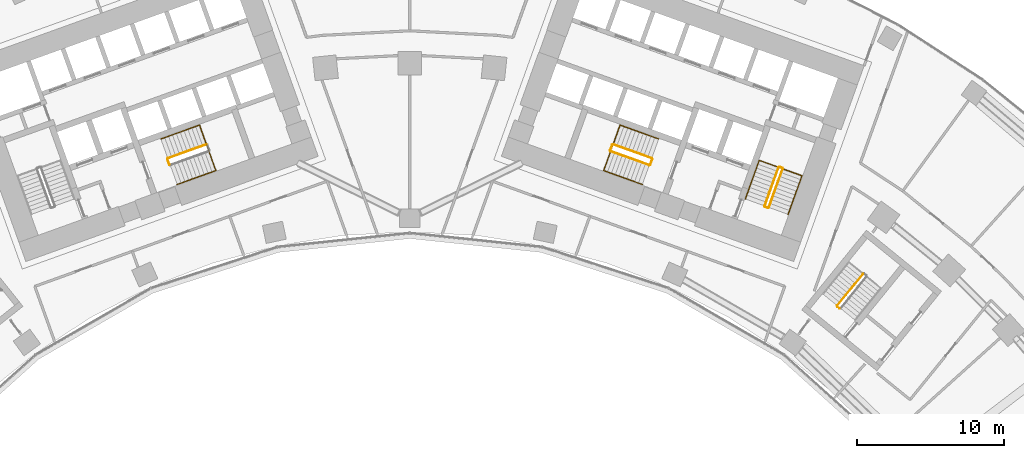
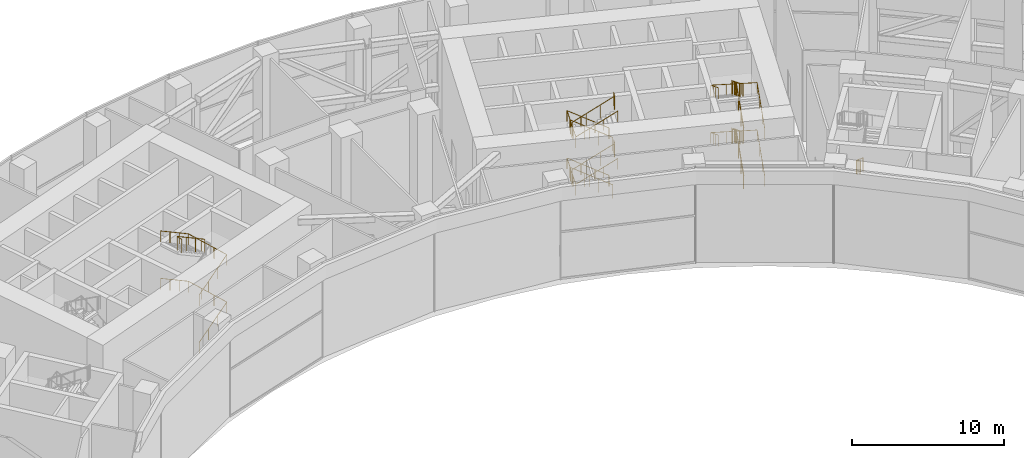
# One storey, part 32 of 33: 16 railings.
"""IFC4 building model written with IfcOpenShell, lengths in metres."""

from ifc_helpers import new_model, si_unit, direction, frame, origin, origin_2d, place, context, subcontext, project, spatial, circle, extrude, material, type_object, element, save


model = new_model("IFC4")

# Units and contexts
model_context = context("Model", 3, precision=1e-05, world=origin(), true_north=direction((0.0, 1.0)))
body_context = subcontext(model_context, "Body", "Model", "MODEL_VIEW")
ifc_project = project(units=[si_unit("LENGTHUNIT", "METRE"), si_unit("AREAUNIT", "SQUARE_METRE"), si_unit("VOLUMEUNIT", "CUBIC_METRE"), si_unit("PLANEANGLEUNIT", "RADIAN"), si_unit("MASSUNIT", "GRAM", prefix="KILO")], contexts=[model_context])

# Site, building, storey
site_placement = place(None, origin())
site = spatial("IfcSite", under=ifc_project, at=site_placement, CompositionType="ELEMENT")
building_placement = place(site_placement, origin())
building = spatial("IfcBuilding", under=site, at=building_placement, Name="Stone Belt Terrace Tower", CompositionType="ELEMENT")
storey_placement = place(building_placement, frame((0.0, 0.0, 79.39990234375)))
storey = spatial("IfcBuildingStorey", under=building, at=storey_placement, Name="L19", CompositionType="ELEMENT", Elevation=79.39990234375)

# Railings
ifc_material = material(Name="Structural steel C345", Category="steel")
railing_type_1 = type_object("IfcRailingType", Name="Stair guard 1100", PredefinedType="GUARDRAIL", material=ifc_material)
railing_1_placement = place(storey_placement, frame((-13.873046875, 49.47509765625, 5.872802734375)))
element("IfcRailing", 1, at=railing_1_placement, inside=storey, type_object=railing_type_1, Name="L19 ST2A stair guard 4", PredefinedType="GUARDRAIL", context=body_context, shape_type="SweptSolid", body=[
    extrude(circle(Radius=0.02392578125, at=origin_2d()), frame((0.0, 0.0, 1.076171875), z_axis=(-0.800808895155, -0.288160591223, 0.52504150989), x_axis=(0.338583606334, -0.940936311087, 0.0)), (0.0, 0.0, 1.0), 3.289794921875),
    extrude(circle(Radius=0.02392578125, at=origin_2d()), frame((-2.634521484375, -0.947998046875, 2.80322265625), z_axis=(-0.427789722475, -0.903878284585, 0.0), x_axis=(0.903878284585, -0.427789722475, 0.0)), (0.0, 0.0, 1.0), 0.07080078125),
    extrude(circle(Radius=0.02392578125, at=origin_2d()), frame((-2.664794921875, -1.011962890625, 2.80322265625), z_axis=(0.338654645739, -0.940910745459, 0.0), x_axis=(0.940910745459, 0.338654645739, 0.0)), (0.0, 0.0, 1.0), 0.400146484375),
    extrude(circle(Radius=0.02099609375, at=origin_2d()), origin(), (0.0, 0.0, 1.0), 1.052001953125),
    extrude(circle(Radius=0.02099609375, at=origin_2d()), frame((-0.878173828125, -0.31591796875, 0.57568359375)), (0.0, 0.0, 1.0), 1.052001953125),
    extrude(circle(Radius=0.02099609375, at=origin_2d()), frame((-1.75634765625, -0.632080078125, 1.151611328125)), (0.0, 0.0, 1.0), 1.052001953125),
    extrude(circle(Radius=0.02099609375, at=origin_2d()), frame((-2.634521484375, -0.947998046875, 1.727294921875)), (0.0, 0.0, 1.0), 1.052001953125),
    extrude(circle(Radius=0.02099609375, at=origin_2d()), frame((-2.664794921875, -1.011962890625, 1.727294921875)), (0.0, 0.0, 1.0), 1.052001953125),
    extrude(circle(Radius=0.02099609375, at=origin_2d()), frame((-2.529296875, -1.388427734375, 1.727294921875)), (0.0, 0.0, 1.0), 1.052001953125),
])
railing_2_placement = place(storey_placement, frame((24.494140625, 45.174560546875, 0.1728515625)))
element("IfcRailing", 2, at=railing_2_placement, inside=storey, type_object=railing_type_1, Name="L19 ST1B stair guard 1", PredefinedType="GUARDRAIL", context=body_context, shape_type="SweptSolid", body=[
    extrude(circle(Radius=0.02392578125, at=origin_2d()), frame((0.0, 0.0, 1.076171875), z_axis=(0.288228637646, 0.800791768495, 0.525030280985), x_axis=(-0.940908529223, 0.338660803216, 0.0)), (0.0, 0.0, 1.0), 3.289794921875),
    extrude(circle(Radius=0.02392578125, at=origin_2d()), frame((0.9482421875, 2.634521484375, 2.80322265625), z_axis=(-0.424964916, 0.905209821074, 0.0), x_axis=(-0.905209821074, -0.424964916, 0.0)), (0.0, 0.0, 1.0), 0.070556640625),
    extrude(circle(Radius=0.02392578125, at=origin_2d()), frame((0.918212890625, 2.698486328125, 2.80322265625), z_axis=(-0.941105063269, 0.338114270461, 0.0), x_axis=(-0.338114270461, -0.941105063269, 0.0)), (0.0, 0.0, 1.0), 0.199951171875),
    extrude(circle(Radius=0.02099609375, at=origin_2d()), origin(), (0.0, 0.0, 1.0), 1.052001953125),
    extrude(circle(Radius=0.02099609375, at=origin_2d()), frame((0.316162109375, 0.878173828125, 0.57568359375)), (0.0, 0.0, 1.0), 1.052001953125),
    extrude(circle(Radius=0.02099609375, at=origin_2d()), frame((0.632080078125, 1.75634765625, 1.151611328125)), (0.0, 0.0, 1.0), 1.052001953125),
    extrude(circle(Radius=0.02099609375, at=origin_2d()), frame((0.9482421875, 2.634521484375, 1.727294921875)), (0.0, 0.0, 1.0), 1.052001953125),
    extrude(circle(Radius=0.02099609375, at=origin_2d()), frame((0.918212890625, 2.698486328125, 1.727294921875)), (0.0, 0.0, 1.0), 1.052001953125),
    extrude(circle(Radius=0.02099609375, at=origin_2d()), frame((0.72998046875, 2.76611328125, 1.727294921875)), (0.0, 0.0, 1.0), 1.052001953125),
])
railing_3_placement = place(storey_placement, frame((25.16015625, 47.91064453125, 2.07275390625)))
element("IfcRailing", 3, at=railing_3_placement, inside=storey, type_object=railing_type_1, Name="L19 ST1B stair guard 2", PredefinedType="GUARDRAIL", context=body_context, shape_type="SweptSolid", body=[
    extrude(circle(Radius=0.02392578125, at=origin_2d()), frame((0.0, 0.0, 1.076171875), z_axis=(-0.288228637646, -0.800791768495, 0.525030280985), x_axis=(0.940908529223, -0.338660803216, 0.0)), (0.0, 0.0, 1.0), 3.289794921875),
    extrude(circle(Radius=0.02392578125, at=origin_2d()), frame((-0.9482421875, -2.634521484375, 2.80322265625), z_axis=(0.427789722475, -0.903878284585, 0.0), x_axis=(0.903878284585, 0.427789722475, 0.0)), (0.0, 0.0, 1.0), 0.07080078125),
    extrude(circle(Radius=0.02392578125, at=origin_2d()), frame((-0.91796875, -2.698486328125, 2.80322265625), z_axis=(0.940575576748, -0.339584429008, 0.0), x_axis=(0.339584429008, 0.940575576748, 0.0)), (0.0, 0.0, 1.0), 0.199951171875),
    extrude(circle(Radius=0.02099609375, at=origin_2d()), origin(), (0.0, 0.0, 1.0), 1.052001953125),
    extrude(circle(Radius=0.02099609375, at=origin_2d()), frame((-0.316162109375, -0.878173828125, 0.57568359375)), (0.0, 0.0, 1.0), 1.052001953125),
    extrude(circle(Radius=0.02099609375, at=origin_2d()), frame((-0.632080078125, -1.75634765625, 1.151611328125)), (0.0, 0.0, 1.0), 1.052001953125),
    extrude(circle(Radius=0.02099609375, at=origin_2d()), frame((-0.9482421875, -2.634521484375, 1.727294921875)), (0.0, 0.0, 1.0), 1.052001953125),
    extrude(circle(Radius=0.02099609375, at=origin_2d()), frame((-0.91796875, -2.698486328125, 1.727294921875)), (0.0, 0.0, 1.0), 1.052001953125),
    extrude(circle(Radius=0.02099609375, at=origin_2d()), frame((-0.72998046875, -2.766357421875, 1.727294921875)), (0.0, 0.0, 1.0), 1.052001953125),
])
railing_4_placement = place(storey_placement, frame((24.494140625, 45.174560546875, 3.972900390625)))
element("IfcRailing", 4, at=railing_4_placement, inside=storey, type_object=railing_type_1, Name="L19 ST1B stair guard 3", PredefinedType="GUARDRAIL", context=body_context, shape_type="SweptSolid", body=[
    extrude(circle(Radius=0.02392578125, at=origin_2d()), frame((0.0, 0.0, 1.076171875), z_axis=(0.288228637646, 0.800791768495, 0.525030280985), x_axis=(-0.940908529223, 0.338660803216, 0.0)), (0.0, 0.0, 1.0), 3.289794921875),
    extrude(circle(Radius=0.02392578125, at=origin_2d()), frame((0.9482421875, 2.634521484375, 2.80322265625), z_axis=(-0.424964916, 0.905209821074, 0.0), x_axis=(-0.905209821074, -0.424964916, 0.0)), (0.0, 0.0, 1.0), 0.070556640625),
    extrude(circle(Radius=0.02392578125, at=origin_2d()), frame((0.918212890625, 2.698486328125, 2.80322265625), z_axis=(-0.941105063269, 0.338114270461, 0.0), x_axis=(-0.338114270461, -0.941105063269, 0.0)), (0.0, 0.0, 1.0), 0.199951171875),
    extrude(circle(Radius=0.02099609375, at=origin_2d()), origin(), (0.0, 0.0, 1.0), 1.052001953125),
    extrude(circle(Radius=0.02099609375, at=origin_2d()), frame((0.316162109375, 0.878173828125, 0.57568359375)), (0.0, 0.0, 1.0), 1.052001953125),
    extrude(circle(Radius=0.02099609375, at=origin_2d()), frame((0.632080078125, 1.75634765625, 1.151611328125)), (0.0, 0.0, 1.0), 1.052001953125),
    extrude(circle(Radius=0.02099609375, at=origin_2d()), frame((0.9482421875, 2.634521484375, 1.727294921875)), (0.0, 0.0, 1.0), 1.052001953125),
    extrude(circle(Radius=0.02099609375, at=origin_2d()), frame((0.918212890625, 2.698486328125, 1.727294921875)), (0.0, 0.0, 1.0), 1.052001953125),
    extrude(circle(Radius=0.02099609375, at=origin_2d()), frame((0.72998046875, 2.76611328125, 1.727294921875)), (0.0, 0.0, 1.0), 1.052001953125),
])
railing_5_placement = place(storey_placement, frame((25.16015625, 47.91064453125, 5.872802734375)))
element("IfcRailing", 5, at=railing_5_placement, inside=storey, type_object=railing_type_1, Name="L19 ST1B stair guard 4", PredefinedType="GUARDRAIL", context=body_context, shape_type="SweptSolid", body=[
    extrude(circle(Radius=0.02392578125, at=origin_2d()), frame((0.0, 0.0, 1.076171875), z_axis=(-0.288228637646, -0.800791768495, 0.525030280985), x_axis=(0.940908529223, -0.338660803216, 0.0)), (0.0, 0.0, 1.0), 3.289794921875),
    extrude(circle(Radius=0.02392578125, at=origin_2d()), frame((-0.9482421875, -2.634521484375, 2.80322265625), z_axis=(0.427789722475, -0.903878284585, 0.0), x_axis=(0.903878284585, 0.427789722475, 0.0)), (0.0, 0.0, 1.0), 0.07080078125),
    extrude(circle(Radius=0.02392578125, at=origin_2d()), frame((-0.91796875, -2.698486328125, 2.80322265625), z_axis=(0.940575576748, -0.339584429008, 0.0), x_axis=(0.339584429008, 0.940575576748, 0.0)), (0.0, 0.0, 1.0), 0.199951171875),
    extrude(circle(Radius=0.02099609375, at=origin_2d()), origin(), (0.0, 0.0, 1.0), 1.052001953125),
    extrude(circle(Radius=0.02099609375, at=origin_2d()), frame((-0.316162109375, -0.878173828125, 0.57568359375)), (0.0, 0.0, 1.0), 1.052001953125),
    extrude(circle(Radius=0.02099609375, at=origin_2d()), frame((-0.632080078125, -1.75634765625, 1.151611328125)), (0.0, 0.0, 1.0), 1.052001953125),
    extrude(circle(Radius=0.02099609375, at=origin_2d()), frame((-0.9482421875, -2.634521484375, 1.727294921875)), (0.0, 0.0, 1.0), 1.052001953125),
    extrude(circle(Radius=0.02099609375, at=origin_2d()), frame((-0.91796875, -2.698486328125, 1.727294921875)), (0.0, 0.0, 1.0), 1.052001953125),
    extrude(circle(Radius=0.02099609375, at=origin_2d()), frame((-0.72998046875, -2.766357421875, 1.727294921875)), (0.0, 0.0, 1.0), 1.052001953125),
])
railing_6_placement = place(storey_placement, frame((16.507568359375, 48.527099609375, 0.1728515625)))
element("IfcRailing", 6, at=railing_6_placement, inside=storey, type_object=railing_type_1, Name="L19 ST2B stair guard 1", PredefinedType="GUARDRAIL", context=body_context, shape_type="SweptSolid", body=[
    extrude(circle(Radius=0.02392578125, at=origin_2d()), frame((0.0, 0.0, 1.076171875), z_axis=(-0.800808895155, 0.288160591223, 0.52504150989), x_axis=(-0.338583606334, -0.940936311087, 0.0)), (0.0, 0.0, 1.0), 3.289794921875),
    extrude(circle(Radius=0.02392578125, at=origin_2d()), frame((-2.634521484375, 0.947998046875, 2.80322265625), z_axis=(-0.905209821074, -0.424964916, 0.0), x_axis=(0.424964916, -0.905209821074, 0.0)), (0.0, 0.0, 1.0), 0.070556640625),
    extrude(circle(Radius=0.02392578125, at=origin_2d()), frame((-2.698486328125, 0.91796875, 2.80322265625), z_axis=(-0.338654645739, -0.940910745459, 0.0), x_axis=(0.940910745459, -0.338654645739, 0.0)), (0.0, 0.0, 1.0), 0.400146484375),
    extrude(circle(Radius=0.02099609375, at=origin_2d()), origin(), (0.0, 0.0, 1.0), 1.052001953125),
    extrude(circle(Radius=0.02099609375, at=origin_2d()), frame((-0.878173828125, 0.31591796875, 0.57568359375)), (0.0, 0.0, 1.0), 1.052001953125),
    extrude(circle(Radius=0.02099609375, at=origin_2d()), frame((-1.75634765625, 0.632080078125, 1.151611328125)), (0.0, 0.0, 1.0), 1.052001953125),
    extrude(circle(Radius=0.02099609375, at=origin_2d()), frame((-2.634521484375, 0.947998046875, 1.727294921875)), (0.0, 0.0, 1.0), 1.052001953125),
    extrude(circle(Radius=0.02099609375, at=origin_2d()), frame((-2.698486328125, 0.91796875, 1.727294921875)), (0.0, 0.0, 1.0), 1.052001953125),
    extrude(circle(Radius=0.02099609375, at=origin_2d()), frame((-2.833984375, 0.54150390625, 1.727294921875)), (0.0, 0.0, 1.0), 1.052001953125),
])
railing_7_placement = place(storey_placement, frame((13.703857421875, 49.004638671875, 2.07275390625)))
element("IfcRailing", 7, at=railing_7_placement, inside=storey, type_object=railing_type_1, Name="L19 ST2B stair guard 2", PredefinedType="GUARDRAIL", context=body_context, shape_type="SweptSolid", body=[
    extrude(circle(Radius=0.02392578125, at=origin_2d()), frame((0.0, 0.0, 1.076171875), z_axis=(0.800808895155, -0.288160591223, 0.52504150989), x_axis=(0.338583606334, 0.940936311087, 0.0)), (0.0, 0.0, 1.0), 3.289794921875),
    extrude(circle(Radius=0.02392578125, at=origin_2d()), frame((2.634521484375, -0.947998046875, 2.80322265625), z_axis=(0.905209821074, 0.424964916, 0.0), x_axis=(-0.424964916, 0.905209821074, 0.0)), (0.0, 0.0, 1.0), 0.070556640625),
    extrude(circle(Radius=0.02392578125, at=origin_2d()), frame((2.698486328125, -0.91796875, 2.80322265625), z_axis=(0.338654645739, 0.940910745459, 0.0), x_axis=(-0.940910745459, 0.338654645739, 0.0)), (0.0, 0.0, 1.0), 0.400146484375),
    extrude(circle(Radius=0.02099609375, at=origin_2d()), origin(), (0.0, 0.0, 1.0), 1.052001953125),
    extrude(circle(Radius=0.02099609375, at=origin_2d()), frame((0.878173828125, -0.31591796875, 0.57568359375)), (0.0, 0.0, 1.0), 1.052001953125),
    extrude(circle(Radius=0.02099609375, at=origin_2d()), frame((1.75634765625, -0.632080078125, 1.151611328125)), (0.0, 0.0, 1.0), 1.052001953125),
    extrude(circle(Radius=0.02099609375, at=origin_2d()), frame((2.634521484375, -0.947998046875, 1.727294921875)), (0.0, 0.0, 1.0), 1.052001953125),
    extrude(circle(Radius=0.02099609375, at=origin_2d()), frame((2.698486328125, -0.91796875, 1.727294921875)), (0.0, 0.0, 1.0), 1.052001953125),
    extrude(circle(Radius=0.02099609375, at=origin_2d()), frame((2.833984375, -0.54150390625, 1.727294921875)), (0.0, 0.0, 1.0), 1.052001953125),
])
railing_8_placement = place(storey_placement, frame((16.507568359375, 48.527099609375, 3.972900390625)))
element("IfcRailing", 8, at=railing_8_placement, inside=storey, type_object=railing_type_1, Name="L19 ST2B stair guard 3", PredefinedType="GUARDRAIL", context=body_context, shape_type="SweptSolid", body=[
    extrude(circle(Radius=0.02392578125, at=origin_2d()), frame((0.0, 0.0, 1.076171875), z_axis=(-0.800808895155, 0.288160591223, 0.52504150989), x_axis=(-0.338583606334, -0.940936311087, 0.0)), (0.0, 0.0, 1.0), 3.289794921875),
    extrude(circle(Radius=0.02392578125, at=origin_2d()), frame((-2.634521484375, 0.947998046875, 2.80322265625), z_axis=(-0.905209821074, -0.424964916, 0.0), x_axis=(0.424964916, -0.905209821074, 0.0)), (0.0, 0.0, 1.0), 0.070556640625),
    extrude(circle(Radius=0.02392578125, at=origin_2d()), frame((-2.698486328125, 0.91796875, 2.80322265625), z_axis=(-0.338654645739, -0.940910745459, 0.0), x_axis=(0.940910745459, -0.338654645739, 0.0)), (0.0, 0.0, 1.0), 0.400146484375),
    extrude(circle(Radius=0.02099609375, at=origin_2d()), origin(), (0.0, 0.0, 1.0), 1.052001953125),
    extrude(circle(Radius=0.02099609375, at=origin_2d()), frame((-0.878173828125, 0.31591796875, 0.57568359375)), (0.0, 0.0, 1.0), 1.052001953125),
    extrude(circle(Radius=0.02099609375, at=origin_2d()), frame((-1.75634765625, 0.632080078125, 1.151611328125)), (0.0, 0.0, 1.0), 1.052001953125),
    extrude(circle(Radius=0.02099609375, at=origin_2d()), frame((-2.634521484375, 0.947998046875, 1.727294921875)), (0.0, 0.0, 1.0), 1.052001953125),
    extrude(circle(Radius=0.02099609375, at=origin_2d()), frame((-2.698486328125, 0.91796875, 1.727294921875)), (0.0, 0.0, 1.0), 1.052001953125),
    extrude(circle(Radius=0.02099609375, at=origin_2d()), frame((-2.833984375, 0.54150390625, 1.727294921875)), (0.0, 0.0, 1.0), 1.052001953125),
])
railing_9_placement = place(storey_placement, frame((13.703857421875, 49.004638671875, 5.872802734375)))
element("IfcRailing", 9, at=railing_9_placement, inside=storey, type_object=railing_type_1, Name="L19 ST2B stair guard 4", PredefinedType="GUARDRAIL", context=body_context, shape_type="SweptSolid", body=[
    extrude(circle(Radius=0.02392578125, at=origin_2d()), frame((0.0, 0.0, 1.076171875), z_axis=(0.800808895155, -0.288160591223, 0.52504150989), x_axis=(0.338583606334, 0.940936311087, 0.0)), (0.0, 0.0, 1.0), 3.289794921875),
    extrude(circle(Radius=0.02392578125, at=origin_2d()), frame((2.634521484375, -0.947998046875, 2.80322265625), z_axis=(0.905209821074, 0.424964916, 0.0), x_axis=(-0.424964916, 0.905209821074, 0.0)), (0.0, 0.0, 1.0), 0.070556640625),
    extrude(circle(Radius=0.02392578125, at=origin_2d()), frame((2.698486328125, -0.91796875, 2.80322265625), z_axis=(0.338654645739, 0.940910745459, 0.0), x_axis=(-0.940910745459, 0.338654645739, 0.0)), (0.0, 0.0, 1.0), 0.400146484375),
    extrude(circle(Radius=0.02099609375, at=origin_2d()), origin(), (0.0, 0.0, 1.0), 1.052001953125),
    extrude(circle(Radius=0.02099609375, at=origin_2d()), frame((0.878173828125, -0.31591796875, 0.57568359375)), (0.0, 0.0, 1.0), 1.052001953125),
    extrude(circle(Radius=0.02099609375, at=origin_2d()), frame((1.75634765625, -0.632080078125, 1.151611328125)), (0.0, 0.0, 1.0), 1.052001953125),
    extrude(circle(Radius=0.02099609375, at=origin_2d()), frame((2.634521484375, -0.947998046875, 1.727294921875)), (0.0, 0.0, 1.0), 1.052001953125),
    extrude(circle(Radius=0.02099609375, at=origin_2d()), frame((2.698486328125, -0.91796875, 1.727294921875)), (0.0, 0.0, 1.0), 1.052001953125),
    extrude(circle(Radius=0.02099609375, at=origin_2d()), frame((2.833984375, -0.54150390625, 1.727294921875)), (0.0, 0.0, 1.0), 1.052001953125),
])
railing_10_placement = place(storey_placement, frame((30.9296875, 40.64501953125, 2.07275390625)))
element("IfcRailing", 10, at=railing_10_placement, inside=storey, type_object=railing_type_1, Name="L19 ST3B stair guard 2", PredefinedType="GUARDRAIL", context=body_context, shape_type="SweptSolid", body=[
    extrude(circle(Radius=0.02392578125, at=origin_2d()), frame((0.0, 0.0, 1.076171875), z_axis=(-0.536366759382, -0.660811565066, 0.525013118792), x_axis=(0.776425942316, -0.630208502084, 0.0)), (0.0, 0.0, 1.0), 3.2900390625),
    extrude(circle(Radius=0.02392578125, at=origin_2d()), frame((-1.7646484375, -2.174072265625, 2.80322265625), z_axis=(0.103606084259, -0.994618408891, 0.0), x_axis=(0.994618408891, 0.103606084259, 0.0)), (0.0, 0.0, 1.0), 0.07080078125),
    extrude(circle(Radius=0.02392578125, at=origin_2d()), frame((-1.75732421875, -2.244384765625, 2.80322265625), z_axis=(0.776561986372, -0.630040856868, 0.0), x_axis=(0.630040856868, 0.776561986372, 0.0)), (0.0, 0.0, 1.0), 0.199951171875),
    extrude(circle(Radius=0.02099609375, at=origin_2d()), origin(), (0.0, 0.0, 1.0), 1.052001953125),
    extrude(circle(Radius=0.02099609375, at=origin_2d()), frame((-0.588134765625, -0.724609375, 0.57568359375)), (0.0, 0.0, 1.0), 1.052001953125),
    extrude(circle(Radius=0.02099609375, at=origin_2d()), frame((-1.176513671875, -1.449462890625, 1.151611328125)), (0.0, 0.0, 1.0), 1.052001953125),
    extrude(circle(Radius=0.02099609375, at=origin_2d()), frame((-1.7646484375, -2.174072265625, 1.727294921875)), (0.0, 0.0, 1.0), 1.052001953125),
    extrude(circle(Radius=0.02099609375, at=origin_2d()), frame((-1.75732421875, -2.244384765625, 1.727294921875)), (0.0, 0.0, 1.0), 1.052001953125),
    extrude(circle(Radius=0.02099609375, at=origin_2d()), frame((-1.60205078125, -2.370361328125, 1.727294921875)), (0.0, 0.0, 1.0), 1.052001953125),
])
railing_type_2 = type_object("IfcRailingType", Name="Stair handrail 900", PredefinedType="HANDRAIL", material=ifc_material)
railing_11_placement = place(storey_placement, frame((-15.8642578125, 46.7392578125, 0.1728515625)))
element("IfcRailing", 11, at=railing_11_placement, inside=storey, type_object=railing_type_2, Name="L19 ST2A stair handrail 1", PredefinedType="HANDRAIL", context=body_context, shape_type="SweptSolid", body=[
    extrude(circle(Radius=0.02392578125, at=origin_2d()), frame((0.0, 0.0, 0.8759765625), z_axis=(0.800791768495, 0.288228637646, 0.525030280985), x_axis=(-0.338660803216, 0.940908529223, 0.0)), (0.0, 0.0, 1.0), 3.289794921875),
    extrude(circle(Radius=0.02392578125, at=origin_2d()), frame((2.634521484375, 0.9482421875, 2.60302734375), z_axis=(-0.338160254016, 0.939637778147, 0.052234935458), x_axis=(-0.940922302781, -0.338622533404, 0.0)), (0.0, 0.0, 1.0), 3.304443359375),
    extrude(circle(Radius=0.02392578125, at=origin_2d()), frame((1.51708984375, 4.05322265625, 2.77587890625), z_axis=(-0.800791768495, -0.288228637646, 0.525030280985), x_axis=(0.338660803216, -0.940908529223, 0.0)), (0.0, 0.0, 1.0), 3.289794921875),
    extrude(circle(Radius=0.02099609375, at=origin_2d()), origin(), (0.0, 0.0, 1.0), 0.851806640625),
    extrude(circle(Radius=0.02099609375, at=origin_2d()), frame((0.878173828125, 0.316162109375, 0.57568359375)), (0.0, 0.0, 1.0), 0.851806640625),
    extrude(circle(Radius=0.02099609375, at=origin_2d()), frame((1.75634765625, 0.632080078125, 1.151611328125)), (0.0, 0.0, 1.0), 0.851806640625),
    extrude(circle(Radius=0.02099609375, at=origin_2d()), frame((2.634521484375, 0.9482421875, 1.727294921875)), (0.0, 0.0, 1.0), 0.851806640625),
    extrude(circle(Radius=0.02099609375, at=origin_2d()), frame((2.261962890625, 1.983154296875, 1.784912109375)), (0.0, 0.0, 1.0), 0.851806640625),
    extrude(circle(Radius=0.02099609375, at=origin_2d()), frame((1.8896484375, 3.018310546875, 1.84228515625)), (0.0, 0.0, 1.0), 0.851806640625),
    extrude(circle(Radius=0.02099609375, at=origin_2d()), frame((1.51708984375, 4.05322265625, 1.89990234375)), (0.0, 0.0, 1.0), 0.851806640625),
    extrude(circle(Radius=0.02099609375, at=origin_2d()), frame((0.638916015625, 3.737060546875, 2.4755859375)), (0.0, 0.0, 1.0), 0.851806640625),
    extrude(circle(Radius=0.02099609375, at=origin_2d()), frame((-0.2392578125, 3.421142578125, 3.051513671875)), (0.0, 0.0, 1.0), 0.851806640625),
    extrude(circle(Radius=0.02099609375, at=origin_2d()), frame((-1.117431640625, 3.10498046875, 3.627197265625)), (0.0, 0.0, 1.0), 0.851806640625),
])
railing_12_placement = place(storey_placement, frame((-15.8642578125, 46.7392578125, 3.972900390625)))
element("IfcRailing", 12, at=railing_12_placement, inside=storey, type_object=railing_type_2, Name="L19 ST2A stair handrail 2", PredefinedType="HANDRAIL", context=body_context, shape_type="SweptSolid", body=[
    extrude(circle(Radius=0.02392578125, at=origin_2d()), frame((0.0, 0.0, 0.8759765625), z_axis=(0.800791768495, 0.288228637646, 0.525030280985), x_axis=(-0.338660803216, 0.940908529223, 0.0)), (0.0, 0.0, 1.0), 3.289794921875),
    extrude(circle(Radius=0.02392578125, at=origin_2d()), frame((2.634521484375, 0.9482421875, 2.60302734375), z_axis=(-0.338160254016, 0.939637778147, 0.052234935458), x_axis=(-0.940922302781, -0.338622533404, 0.0)), (0.0, 0.0, 1.0), 3.304443359375),
    extrude(circle(Radius=0.02392578125, at=origin_2d()), frame((1.51708984375, 4.05322265625, 2.77587890625), z_axis=(-0.800791768495, -0.288228637646, 0.525030280985), x_axis=(0.338660803216, -0.940908529223, 0.0)), (0.0, 0.0, 1.0), 3.289794921875),
    extrude(circle(Radius=0.02099609375, at=origin_2d()), origin(), (0.0, 0.0, 1.0), 0.851806640625),
    extrude(circle(Radius=0.02099609375, at=origin_2d()), frame((0.878173828125, 0.316162109375, 0.57568359375)), (0.0, 0.0, 1.0), 0.851806640625),
    extrude(circle(Radius=0.02099609375, at=origin_2d()), frame((1.75634765625, 0.632080078125, 1.151611328125)), (0.0, 0.0, 1.0), 0.851806640625),
    extrude(circle(Radius=0.02099609375, at=origin_2d()), frame((2.634521484375, 0.9482421875, 1.727294921875)), (0.0, 0.0, 1.0), 0.851806640625),
    extrude(circle(Radius=0.02099609375, at=origin_2d()), frame((2.261962890625, 1.983154296875, 1.784912109375)), (0.0, 0.0, 1.0), 0.851806640625),
    extrude(circle(Radius=0.02099609375, at=origin_2d()), frame((1.8896484375, 3.018310546875, 1.84228515625)), (0.0, 0.0, 1.0), 0.851806640625),
    extrude(circle(Radius=0.02099609375, at=origin_2d()), frame((1.51708984375, 4.05322265625, 1.89990234375)), (0.0, 0.0, 1.0), 0.851806640625),
    extrude(circle(Radius=0.02099609375, at=origin_2d()), frame((0.638916015625, 3.737060546875, 2.4755859375)), (0.0, 0.0, 1.0), 0.851806640625),
    extrude(circle(Radius=0.02099609375, at=origin_2d()), frame((-0.2392578125, 3.421142578125, 3.051513671875)), (0.0, 0.0, 1.0), 0.851806640625),
    extrude(circle(Radius=0.02099609375, at=origin_2d()), frame((-1.117431640625, 3.10498046875, 3.627197265625)), (0.0, 0.0, 1.0), 0.851806640625),
])
railing_13_placement = place(storey_placement, frame((25.8115234375, 44.700439453125, 0.1728515625)))
element("IfcRailing", 13, at=railing_13_placement, inside=storey, type_object=railing_type_2, Name="L19 ST1B stair handrail 1", PredefinedType="HANDRAIL", context=body_context, shape_type="SweptSolid", body=[
    extrude(circle(Radius=0.02392578125, at=origin_2d()), frame((0.0, 0.0, 0.8759765625), z_axis=(0.288228637646, 0.800791768495, 0.525030280985), x_axis=(-0.940908529223, 0.338660803216, 0.0)), (0.0, 0.0, 1.0), 3.289794921875),
    extrude(circle(Radius=0.02392578125, at=origin_2d()), frame((0.9482421875, 2.634521484375, 2.60302734375), z_axis=(-0.939464517435, 0.338106580597, 0.055591012205), x_axis=(-0.338630230244, -0.940919532779, 0.0)), (0.0, 0.0, 1.0), 3.10498046875),
    extrude(circle(Radius=0.02392578125, at=origin_2d()), frame((-1.96875, 3.684326171875, 2.77587890625), z_axis=(-0.288160591223, -0.800808895155, 0.52504150989), x_axis=(0.940936311087, -0.338583606334, 0.0)), (0.0, 0.0, 1.0), 3.289794921875),
    extrude(circle(Radius=0.02099609375, at=origin_2d()), origin(), (0.0, 0.0, 1.0), 0.851806640625),
    extrude(circle(Radius=0.02099609375, at=origin_2d()), frame((0.316162109375, 0.878173828125, 0.57568359375)), (0.0, 0.0, 1.0), 0.851806640625),
    extrude(circle(Radius=0.02099609375, at=origin_2d()), frame((0.632080078125, 1.75634765625, 1.151611328125)), (0.0, 0.0, 1.0), 0.851806640625),
    extrude(circle(Radius=0.02099609375, at=origin_2d()), frame((0.9482421875, 2.634521484375, 1.727294921875)), (0.0, 0.0, 1.0), 0.851806640625),
    extrude(circle(Radius=0.02099609375, at=origin_2d()), frame((-0.024169921875, 2.984375, 1.784912109375)), (0.0, 0.0, 1.0), 0.851806640625),
    extrude(circle(Radius=0.02099609375, at=origin_2d()), frame((-0.996337890625, 3.33447265625, 1.84228515625)), (0.0, 0.0, 1.0), 0.851806640625),
    extrude(circle(Radius=0.02099609375, at=origin_2d()), frame((-1.96875, 3.684326171875, 1.89990234375)), (0.0, 0.0, 1.0), 0.851806640625),
    extrude(circle(Radius=0.02099609375, at=origin_2d()), frame((-2.28466796875, 2.80615234375, 2.4755859375)), (0.0, 0.0, 1.0), 0.851806640625),
    extrude(circle(Radius=0.02099609375, at=origin_2d()), frame((-2.600830078125, 1.927978515625, 3.051513671875)), (0.0, 0.0, 1.0), 0.851806640625),
    extrude(circle(Radius=0.02099609375, at=origin_2d()), frame((-2.916748046875, 1.0498046875, 3.627197265625)), (0.0, 0.0, 1.0), 0.851806640625),
])
railing_14_placement = place(storey_placement, frame((25.8115234375, 44.700439453125, 3.972900390625)))
element("IfcRailing", 14, at=railing_14_placement, inside=storey, type_object=railing_type_2, Name="L19 ST1B stair handrail 2", PredefinedType="HANDRAIL", context=body_context, shape_type="SweptSolid", body=[
    extrude(circle(Radius=0.02392578125, at=origin_2d()), frame((0.0, 0.0, 0.8759765625), z_axis=(0.288228637646, 0.800791768495, 0.525030280985), x_axis=(-0.940908529223, 0.338660803216, 0.0)), (0.0, 0.0, 1.0), 3.289794921875),
    extrude(circle(Radius=0.02392578125, at=origin_2d()), frame((0.9482421875, 2.634521484375, 2.60302734375), z_axis=(-0.939464517435, 0.338106580597, 0.055591012205), x_axis=(-0.338630230244, -0.940919532779, 0.0)), (0.0, 0.0, 1.0), 3.10498046875),
    extrude(circle(Radius=0.02392578125, at=origin_2d()), frame((-1.96875, 3.684326171875, 2.77587890625), z_axis=(-0.288160591223, -0.800808895155, 0.52504150989), x_axis=(0.940936311087, -0.338583606334, 0.0)), (0.0, 0.0, 1.0), 3.289794921875),
    extrude(circle(Radius=0.02099609375, at=origin_2d()), origin(), (0.0, 0.0, 1.0), 0.851806640625),
    extrude(circle(Radius=0.02099609375, at=origin_2d()), frame((0.316162109375, 0.878173828125, 0.57568359375)), (0.0, 0.0, 1.0), 0.851806640625),
    extrude(circle(Radius=0.02099609375, at=origin_2d()), frame((0.632080078125, 1.75634765625, 1.151611328125)), (0.0, 0.0, 1.0), 0.851806640625),
    extrude(circle(Radius=0.02099609375, at=origin_2d()), frame((0.9482421875, 2.634521484375, 1.727294921875)), (0.0, 0.0, 1.0), 0.851806640625),
    extrude(circle(Radius=0.02099609375, at=origin_2d()), frame((-0.024169921875, 2.984375, 1.784912109375)), (0.0, 0.0, 1.0), 0.851806640625),
    extrude(circle(Radius=0.02099609375, at=origin_2d()), frame((-0.996337890625, 3.33447265625, 1.84228515625)), (0.0, 0.0, 1.0), 0.851806640625),
    extrude(circle(Radius=0.02099609375, at=origin_2d()), frame((-1.96875, 3.684326171875, 1.89990234375)), (0.0, 0.0, 1.0), 0.851806640625),
    extrude(circle(Radius=0.02099609375, at=origin_2d()), frame((-2.28466796875, 2.80615234375, 2.4755859375)), (0.0, 0.0, 1.0), 0.851806640625),
    extrude(circle(Radius=0.02099609375, at=origin_2d()), frame((-2.600830078125, 1.927978515625, 3.051513671875)), (0.0, 0.0, 1.0), 0.851806640625),
    extrude(circle(Radius=0.02099609375, at=origin_2d()), frame((-2.916748046875, 1.0498046875, 3.627197265625)), (0.0, 0.0, 1.0), 0.851806640625),
])
railing_15_placement = place(storey_placement, frame((16.981689453125, 49.84423828125, 0.1728515625)))
element("IfcRailing", 15, at=railing_15_placement, inside=storey, type_object=railing_type_2, Name="L19 ST2B stair handrail 1", PredefinedType="HANDRAIL", context=body_context, shape_type="SweptSolid", body=[
    extrude(circle(Radius=0.02392578125, at=origin_2d()), frame((0.0, 0.0, 0.8759765625), z_axis=(-0.800791768495, 0.288228637646, 0.525030280985), x_axis=(-0.338660803216, -0.940908529223, 0.0)), (0.0, 0.0, 1.0), 3.289794921875),
    extrude(circle(Radius=0.02392578125, at=origin_2d()), frame((-2.634521484375, 0.9482421875, 2.60302734375), z_axis=(-0.338160254016, -0.939637778147, 0.052234935458), x_axis=(0.940922302781, -0.338622533404, 0.0)), (0.0, 0.0, 1.0), 3.304443359375),
    extrude(circle(Radius=0.02392578125, at=origin_2d()), frame((-3.751953125, -2.15673828125, 2.77587890625), z_axis=(0.800791768495, -0.288228637646, 0.525030280985), x_axis=(0.338660803216, 0.940908529223, 0.0)), (0.0, 0.0, 1.0), 3.289794921875),
    extrude(circle(Radius=0.02099609375, at=origin_2d()), origin(), (0.0, 0.0, 1.0), 0.851806640625),
    extrude(circle(Radius=0.02099609375, at=origin_2d()), frame((-0.878173828125, 0.316162109375, 0.57568359375)), (0.0, 0.0, 1.0), 0.851806640625),
    extrude(circle(Radius=0.02099609375, at=origin_2d()), frame((-1.75634765625, 0.632080078125, 1.151611328125)), (0.0, 0.0, 1.0), 0.851806640625),
    extrude(circle(Radius=0.02099609375, at=origin_2d()), frame((-2.634521484375, 0.9482421875, 1.727294921875)), (0.0, 0.0, 1.0), 0.851806640625),
    extrude(circle(Radius=0.02099609375, at=origin_2d()), frame((-3.007080078125, -0.086669921875, 1.784912109375)), (0.0, 0.0, 1.0), 0.851806640625),
    extrude(circle(Radius=0.02099609375, at=origin_2d()), frame((-3.37939453125, -1.121826171875, 1.84228515625)), (0.0, 0.0, 1.0), 0.851806640625),
    extrude(circle(Radius=0.02099609375, at=origin_2d()), frame((-3.751953125, -2.15673828125, 1.89990234375)), (0.0, 0.0, 1.0), 0.851806640625),
    extrude(circle(Radius=0.02099609375, at=origin_2d()), frame((-2.873779296875, -2.472900390625, 2.4755859375)), (0.0, 0.0, 1.0), 0.851806640625),
    extrude(circle(Radius=0.02099609375, at=origin_2d()), frame((-1.99560546875, -2.788818359375, 3.051513671875)), (0.0, 0.0, 1.0), 0.851806640625),
    extrude(circle(Radius=0.02099609375, at=origin_2d()), frame((-1.117431640625, -3.10498046875, 3.627197265625)), (0.0, 0.0, 1.0), 0.851806640625),
])
railing_16_placement = place(storey_placement, frame((16.981689453125, 49.84423828125, 3.972900390625)))
element("IfcRailing", 16, at=railing_16_placement, inside=storey, type_object=railing_type_2, Name="L19 ST2B stair handrail 2", PredefinedType="HANDRAIL", context=body_context, shape_type="SweptSolid", body=[
    extrude(circle(Radius=0.02392578125, at=origin_2d()), frame((0.0, 0.0, 0.8759765625), z_axis=(-0.800791768495, 0.288228637646, 0.525030280985), x_axis=(-0.338660803216, -0.940908529223, 0.0)), (0.0, 0.0, 1.0), 3.289794921875),
    extrude(circle(Radius=0.02392578125, at=origin_2d()), frame((-2.634521484375, 0.9482421875, 2.60302734375), z_axis=(-0.338160254016, -0.939637778147, 0.052234935458), x_axis=(0.940922302781, -0.338622533404, 0.0)), (0.0, 0.0, 1.0), 3.304443359375),
    extrude(circle(Radius=0.02392578125, at=origin_2d()), frame((-3.751953125, -2.15673828125, 2.77587890625), z_axis=(0.800791768495, -0.288228637646, 0.525030280985), x_axis=(0.338660803216, 0.940908529223, 0.0)), (0.0, 0.0, 1.0), 3.289794921875),
    extrude(circle(Radius=0.02099609375, at=origin_2d()), origin(), (0.0, 0.0, 1.0), 0.851806640625),
    extrude(circle(Radius=0.02099609375, at=origin_2d()), frame((-0.878173828125, 0.316162109375, 0.57568359375)), (0.0, 0.0, 1.0), 0.851806640625),
    extrude(circle(Radius=0.02099609375, at=origin_2d()), frame((-1.75634765625, 0.632080078125, 1.151611328125)), (0.0, 0.0, 1.0), 0.851806640625),
    extrude(circle(Radius=0.02099609375, at=origin_2d()), frame((-2.634521484375, 0.9482421875, 1.727294921875)), (0.0, 0.0, 1.0), 0.851806640625),
    extrude(circle(Radius=0.02099609375, at=origin_2d()), frame((-3.007080078125, -0.086669921875, 1.784912109375)), (0.0, 0.0, 1.0), 0.851806640625),
    extrude(circle(Radius=0.02099609375, at=origin_2d()), frame((-3.37939453125, -1.121826171875, 1.84228515625)), (0.0, 0.0, 1.0), 0.851806640625),
    extrude(circle(Radius=0.02099609375, at=origin_2d()), frame((-3.751953125, -2.15673828125, 1.89990234375)), (0.0, 0.0, 1.0), 0.851806640625),
    extrude(circle(Radius=0.02099609375, at=origin_2d()), frame((-2.873779296875, -2.472900390625, 2.4755859375)), (0.0, 0.0, 1.0), 0.851806640625),
    extrude(circle(Radius=0.02099609375, at=origin_2d()), frame((-1.99560546875, -2.788818359375, 3.051513671875)), (0.0, 0.0, 1.0), 0.851806640625),
    extrude(circle(Radius=0.02099609375, at=origin_2d()), frame((-1.117431640625, -3.10498046875, 3.627197265625)), (0.0, 0.0, 1.0), 0.851806640625),
])

save(model, "model.ifc")
